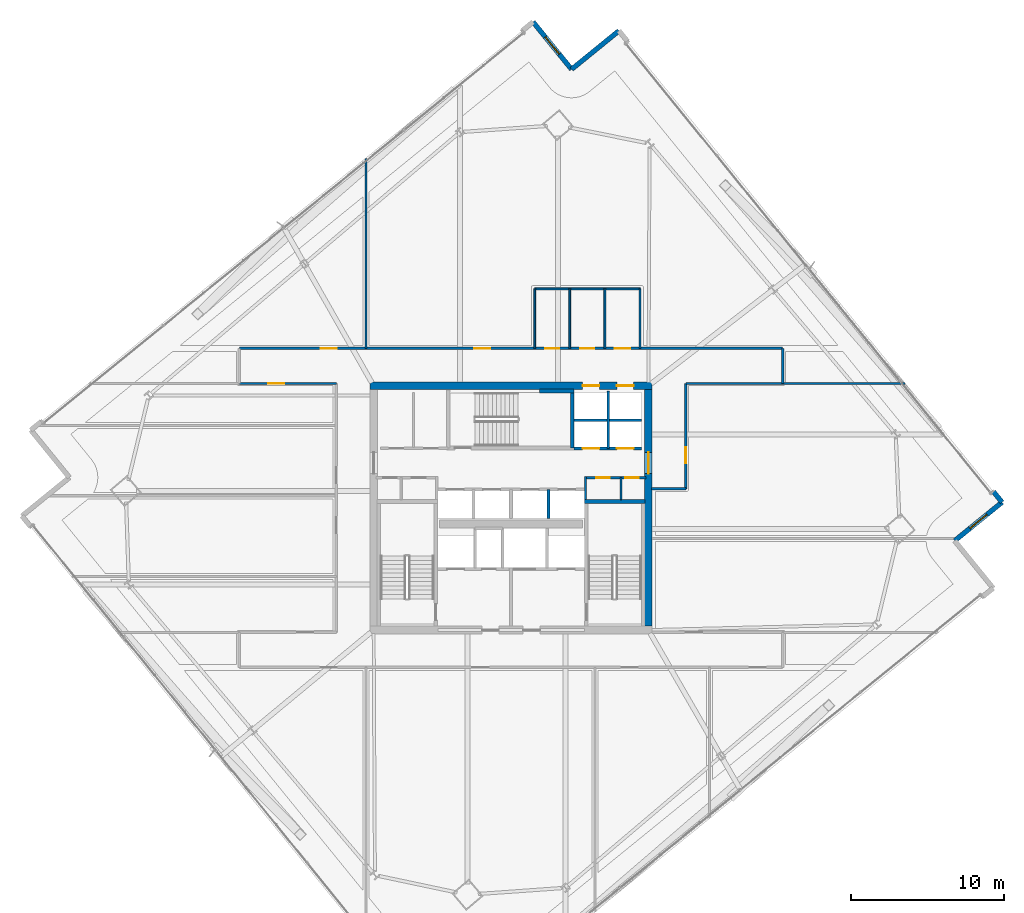
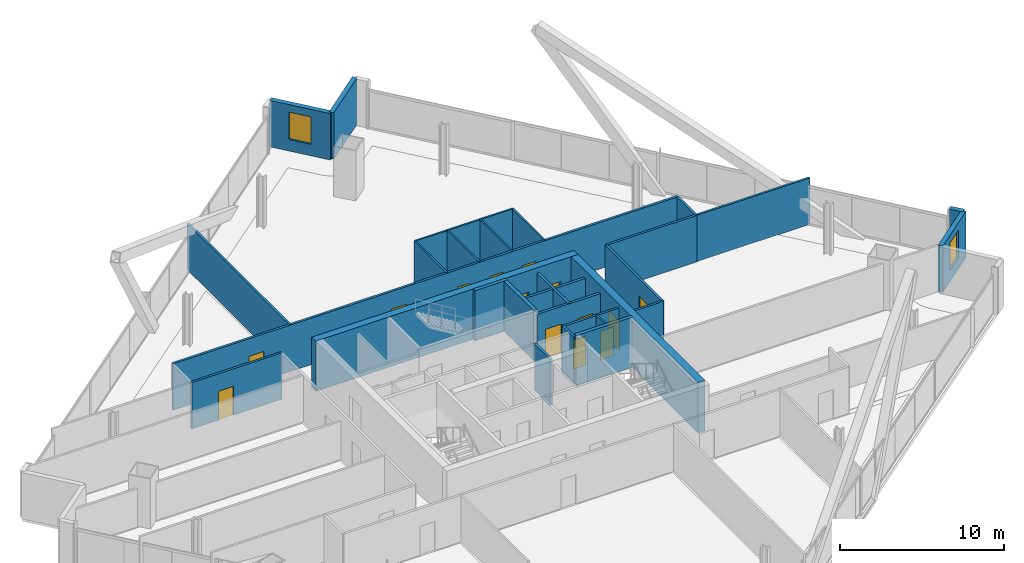
# One storey, part 30 of 36: 29 walls, 14 doors, 2 windows, 16 openings.
"""IFC4 building model written with IfcOpenShell, lengths in metres."""

from ifc_helpers import new_model, si_unit, direction, frame, frame_2d, origin, place, context, subcontext, project, spatial, rectangle, extrude, material, layer, layer_set, type_object, element, fill, save


model = new_model("IFC4")

# Units and contexts
model_context = context("Model", 3, precision=1e-05, world=origin(), true_north=direction((0.0, 1.0)))
body_context = subcontext(model_context, "Body", "Model", "MODEL_VIEW")
ifc_project = project(units=[si_unit("LENGTHUNIT", "METRE"), si_unit("AREAUNIT", "SQUARE_METRE"), si_unit("VOLUMEUNIT", "CUBIC_METRE"), si_unit("PLANEANGLEUNIT", "RADIAN"), si_unit("MASSUNIT", "GRAM", prefix="KILO")], contexts=[model_context])

# Site, building, storey
site_placement = place(None, origin())
site = spatial("IfcSite", under=ifc_project, at=site_placement, CompositionType="ELEMENT")
building_placement = place(site_placement, origin())
building = spatial("IfcBuilding", under=site, at=building_placement, Name="Haldenkirk Collegiate Tower", CompositionType="ELEMENT")
storey_placement = place(building_placement, frame((0.0, 0.0, 159.449951171875)))
storey = spatial("IfcBuildingStorey", under=building, at=storey_placement, Name="L39", CompositionType="ELEMENT", Elevation=159.449951171875)

# Wall, openings, doors
ifc_material_1 = material(Name="Concrete f'c 55 MPa", Category="concrete")
ifc_layer_1 = layer(ifc_material_1, 0.5)
ifc_layer_set_1 = layer_set([ifc_layer_1], Name="Concrete f'c 55 MPa")
wall_type_1 = type_object("IfcWallType", Name="WL-CORE-500", PredefinedType="SHEAR", material=ifc_layer_set_1)
wall_1_placement = place(storey_placement, frame((26.75, 34.0, 0.0), z_axis=(0.0, 0.0, 1.0), x_axis=(1.0, 0.0, 0.0)))
wall_1 = element("IfcWall", 1, at=wall_1_placement, inside=storey, type_object=wall_type_1, Name="L39 central core shear wall N", PredefinedType="SHEAR", context=body_context, shape_type="SweptSolid", body=[
    extrude(rectangle(XDim=18.5, YDim=0.5, at=frame_2d((9.25, 0.0))), origin(), (0.0, 0.0, 1.0), 3.75),
])
opening_1_placement = place(wall_1_placement, frame((13.93505859375, 0.0, 0.0)))
opening_1 = element("IfcOpeningElement", 2, at=opening_1_placement, cuts=wall_1, Name="Opening LD-11", PredefinedType="OPENING", context=body_context, shape_type="SweptSolid", body=[
    extrude(rectangle(XDim=1.10009765625, YDim=2.14990234375, at=frame_2d((0.550048828125, 1.074951171875))), frame((0.0, 0.260009765625, 0.0), z_axis=(0.0, -1.0, 0.0), x_axis=(1.0, 0.0, 0.0)), (0.0, 0.0, 1.0), 0.52001953125),
])
opening_2_placement = place(wall_1_placement, frame((16.18505859375, 0.0, 0.0)))
opening_2 = element("IfcOpeningElement", 3, at=opening_2_placement, cuts=wall_1, Name="Opening LD-11", PredefinedType="OPENING", context=body_context, shape_type="SweptSolid", body=[
    extrude(rectangle(XDim=1.10009765625, YDim=2.14990234375, at=frame_2d((0.550048828125, 1.074951171875))), frame((0.0, 0.260009765625, 0.0), z_axis=(0.0, -1.0, 0.0), x_axis=(1.0, 0.0, 0.0)), (0.0, 0.0, 1.0), 0.52001953125),
])
ifc_material_2 = material(Name="Brushed architectural stainless steel", Category="steel")
ifc_layer_2 = layer(ifc_material_2, 0.06005859375)
ifc_layer_set_2 = layer_set([ifc_layer_2], Name="Brushed architectural stainless steel")
door_type_1 = type_object("IfcDoorType", Name="LD-PASS-1100", OperationType="NOTDEFINED", PredefinedType="DOOR", material=ifc_layer_set_2)
door_1_placement = place(opening_1_placement, origin())
door_1 = element("IfcDoor", 4, at=door_1_placement, inside=storey, type_object=door_type_1, Name="L39 Elevator PM3 sliding landing door", OperationType="SLIDING_TO_LEFT", OverallHeight=2.14990234375, OverallWidth=1.10009765625, PredefinedType="DOOR", context=body_context, shape_type="SweptSolid", body=[
    extrude(rectangle(XDim=1.10009765625, YDim=2.14990234375, at=frame_2d((0.550048828125, 1.074951171875))), frame((0.0, 0.02490234375, 0.0), z_axis=(0.0, -1.0, 0.0), x_axis=(1.0, 0.0, 0.0)), (0.0, 0.0, 1.0), 0.050048828125),
])
fill(opening_1, door_1)
door_2_placement = place(opening_2_placement, origin())
door_2 = element("IfcDoor", 5, at=door_2_placement, inside=storey, type_object=door_type_1, Name="L39 Elevator PM4 sliding landing door", OperationType="SLIDING_TO_LEFT", OverallHeight=2.14990234375, OverallWidth=1.10009765625, PredefinedType="DOOR", context=body_context, shape_type="SweptSolid", body=[
    extrude(rectangle(XDim=1.10009765625, YDim=2.14990234375, at=frame_2d((0.550048828125, 1.074951171875))), frame((0.0, 0.02490234375, 0.0), z_axis=(0.0, -1.0, 0.0), x_axis=(1.0, 0.0, 0.0)), (0.0, 0.0, 1.0), 0.050048828125),
])
fill(opening_2, door_2)

# Wall, opening, door
wall_2_placement = place(storey_placement, frame((45.0, 18.25, 0.0), z_axis=(0.0, 0.0, 1.0), x_axis=(0.0, 1.0, 0.0)))
wall_2 = element("IfcWall", 6, at=wall_2_placement, inside=storey, type_object=wall_type_1, Name="L39 central core shear wall E", PredefinedType="SHEAR", context=body_context, shape_type="SweptSolid", body=[
    extrude(rectangle(XDim=15.5, YDim=0.5, at=frame_2d((7.75, 0.0))), origin(), (0.0, 0.0, 1.0), 3.75),
])
opening_3_placement = place(wall_2_placement, frame((9.989990234375, 0.0, 0.0)))
opening_3 = element("IfcOpeningElement", 7, at=opening_3_placement, cuts=wall_2, Name="Opening D-03", PredefinedType="OPENING", context=body_context, shape_type="SweptSolid", body=[
    extrude(rectangle(XDim=1.39990234375, YDim=2.199951171875, at=frame_2d((0.699951171875, 1.10009765625))), frame((0.0, 0.260009765625, 0.0), z_axis=(0.0, -1.0, 0.0), x_axis=(1.0, 0.0, 0.0)), (0.0, 0.0, 1.0), 0.52001953125),
])
ifc_material_3 = material(Name="Galvanized fire-rated hollow steel door", Category="steel")
ifc_layer_3 = layer(ifc_material_3, 0.06005859375)
ifc_layer_set_3 = layer_set([ifc_layer_3], Name="Galvanized fire-rated hollow steel door")
door_type_2 = type_object("IfcDoorType", Name="DR-LOBBY-FD90-1400", OperationType="NOTDEFINED", PredefinedType="DOOR", material=ifc_layer_set_3)
door_3_placement = place(opening_3_placement, origin())
door_3 = element("IfcDoor", 8, at=door_3_placement, inside=storey, type_object=door_type_2, Name="L39 east lift lobby portal", OperationType="DOUBLE_DOOR_SINGLE_SWING", OverallHeight=2.199951171875, OverallWidth=1.39990234375, PredefinedType="DOOR", context=body_context, shape_type="SweptSolid", body=[
    extrude(rectangle(XDim=1.39990234375, YDim=2.199951171875, at=frame_2d((0.699951171875, 1.10009765625))), frame((0.0, 0.02490234375, 0.0), z_axis=(0.0, -1.0, 0.0), x_axis=(1.0, 0.0, 0.0)), (0.0, 0.0, 1.0), 0.050048828125),
])
fill(opening_3, door_3)

# Wall, opening, window
ifc_material_4 = material(Name="Precast concrete f'c 40 MPa", Category="concrete")
ifc_layer_4 = layer(ifc_material_4, 0.320068359375)
ifc_layer_set_4 = layer_set([ifc_layer_4], Name="Precast concrete f'c 40 MPa")
wall_type_2 = type_object("IfcWallType", Name="WL-EXT-TWR-320", PredefinedType="STANDARD", material=ifc_layer_set_4)
wall_3_placement = place(storey_placement, frame((68.169921875, 26.3720703125, 0.0), z_axis=(0.0, 0.0, 1.0), x_axis=(-0.776052387571, -0.63066844835, 0.0)))
wall_3 = element("IfcWall", 9, at=wall_3_placement, inside=storey, type_object=wall_type_2, Name="L39 bronze precast notch wall 03", PredefinedType="STANDARD", context=body_context, shape_type="SweptSolid", body=[
    extrude(rectangle(XDim=4.0, YDim=0.320068359375, at=frame_2d((2.0, 0.0))), origin(), (0.0, 0.0, 1.0), 3.4599609375),
])
opening_4_placement = place(wall_3_placement, frame((1.27490234375, 0.0, 0.85009765625)))
opening_4 = element("IfcOpeningElement", 10, at=opening_4_placement, cuts=wall_3, Name="Opening W-05", PredefinedType="OPENING", context=body_context, shape_type="SweptSolid", body=[
    extrude(rectangle(XDim=1.449951171875, YDim=2.050048828125, at=frame_2d((0.72509765625, 1.02490234375))), frame((0.0, 0.169921875, 0.0), z_axis=(0.0, -1.0, 0.0), x_axis=(1.0, 0.0, 0.0)), (0.0, 0.0, 1.0), 0.340087890625),
])
ifc_material_5 = material(Name="Low-E argon triple insulating glass", Category="glass")
ifc_layer_5 = layer(ifc_material_5, 0.090087890625)
ifc_layer_set_5 = layer_set([ifc_layer_5], Name="Low-E argon triple insulating glass")
window_type = type_object("IfcWindowType", Name="WN-Z3-1450X2050", PartitioningType="SINGLE_PANEL", PredefinedType="WINDOW", material=ifc_layer_set_5)
window_1_placement = place(opening_4_placement, origin())
window_1 = element("IfcWindow", 11, at=window_1_placement, inside=storey, type_object=window_type, Name="L39 precast-frame academic window 2", OverallHeight=2.050048828125, OverallWidth=1.449951171875, PartitioningType="SINGLE_PANEL", PredefinedType="WINDOW", context=body_context, shape_type="SweptSolid", body=[
    extrude(rectangle(XDim=1.449951171875, YDim=2.050048828125, at=frame_2d((0.72509765625, 1.02490234375))), frame((0.0, 0.030029296875, 0.0), z_axis=(0.0, -1.0, 0.0), x_axis=(1.0, 0.0, 0.0)), (0.0, 0.0, 1.0), 0.06005859375),
])
fill(opening_4, window_1)

# Walls
wall_4_placement = place(storey_placement, frame((67.602294921875, 27.070556640625, 0.0), z_axis=(0.0, 0.0, 1.0), x_axis=(0.630664105663, -0.776055916689, 0.0)))
element("IfcWall", 12, at=wall_4_placement, inside=storey, type_object=wall_type_2, Name="L39 precast corner pier ER", PredefinedType="STANDARD", context=body_context, shape_type="SweptSolid", body=[
    extrude(rectangle(XDim=0.900146484375, YDim=0.320068359375, at=frame_2d((0.4501953125, 0.0))), origin(), (0.0, 0.0, 1.0), 3.4599609375),
])
wall_5_placement = place(storey_placement, frame((39.96484375, 54.736083984375, 0.0), z_axis=(0.0, 0.0, 1.0), x_axis=(0.776052387571, 0.63066844835, 0.0)))
element("IfcWall", 13, at=wall_5_placement, inside=storey, type_object=wall_type_2, Name="L39 bronze precast notch wall 05", PredefinedType="STANDARD", context=body_context, shape_type="SweptSolid", body=[
    extrude(rectangle(XDim=4.0, YDim=0.320068359375, at=frame_2d((2.0, 0.0))), origin(), (0.0, 0.0, 1.0), 3.4599609375),
])

# Wall, opening, window
wall_6_placement = place(storey_placement, frame((37.442138671875, 57.840087890625, 0.0), z_axis=(0.0, 0.0, 1.0), x_axis=(0.630698321471, -0.77602810986, 0.0)))
wall_6 = element("IfcWall", 14, at=wall_6_placement, inside=storey, type_object=wall_type_2, Name="L39 bronze precast notch wall 06", PredefinedType="STANDARD", context=body_context, shape_type="SweptSolid", body=[
    extrude(rectangle(XDim=3.999755859375, YDim=0.320068359375, at=frame_2d((2.0, 0.0))), origin(), (0.0, 0.0, 1.0), 3.4599609375),
])
opening_5_placement = place(wall_6_placement, frame((1.27490234375, 0.0, 0.85009765625)))
opening_5 = element("IfcOpeningElement", 15, at=opening_5_placement, cuts=wall_6, Name="Opening W-05", PredefinedType="OPENING", context=body_context, shape_type="SweptSolid", body=[
    extrude(rectangle(XDim=1.449951171875, YDim=2.050048828125, at=frame_2d((0.72509765625, 1.02490234375))), frame((0.0, 0.169921875, 0.0), z_axis=(0.0, -1.0, 0.0), x_axis=(1.0, 0.0, 0.0)), (0.0, 0.0, 1.0), 0.340087890625),
])
window_2_placement = place(opening_5_placement, origin())
window_2 = element("IfcWindow", 16, at=window_2_placement, inside=storey, type_object=window_type, Name="L39 precast-frame academic window 5", OverallHeight=2.050048828125, OverallWidth=1.449951171875, PartitioningType="SINGLE_PANEL", PredefinedType="WINDOW", context=body_context, shape_type="SweptSolid", body=[
    extrude(rectangle(XDim=1.449951171875, YDim=2.050048828125, at=frame_2d((0.72509765625, 1.02490234375))), frame((0.0, 0.030029296875, 0.0), z_axis=(0.0, -1.0, 0.0), x_axis=(1.0, 0.0, 0.0)), (0.0, 0.0, 1.0), 0.06005859375),
])
fill(opening_5, window_2)

# Wall, openings, doors
ifc_material_6 = material(Name="Acoustic fire-rated gypsum partition", Category="concrete")
ifc_layer_6 = layer(ifc_material_6, 0.159912109375)
ifc_layer_set_6 = layer_set([ifc_layer_6], Name="Acoustic fire-rated gypsum partition")
wall_type_3 = type_object("IfcWallType", Name="WL-INT-CORR-160", PredefinedType="PARTITIONING", material=ifc_layer_set_6)
wall_7_placement = place(storey_placement, frame((40.800048828125, 27.97998046875, 0.0), z_axis=(0.0, 0.0, 1.0), x_axis=(1.0, 0.0, 0.0)))
wall_7 = element("IfcWall", 17, at=wall_7_placement, inside=storey, type_object=wall_type_3, Name="L39 interior partition IW-L39-VCSE-N", PredefinedType="PARTITIONING", context=body_context, shape_type="SweptSolid", body=[
    extrude(rectangle(XDim=4.050048828125, YDim=0.159912109375, at=frame_2d((2.02490234375, 0.0))), origin(), (0.0, 0.0, 1.0), 3.4599609375),
])
opening_6_placement = place(wall_7_placement, frame((0.77001953125, 0.0, 0.0)))
opening_6 = element("IfcOpeningElement", 18, at=opening_6_placement, cuts=wall_7, Name="Opening D-11", PredefinedType="OPENING", context=body_context, shape_type="SweptSolid", body=[
    extrude(rectangle(XDim=0.89990234375, YDim=2.14990234375, at=frame_2d((0.449951171875, 1.074951171875))), frame((0.0, 0.08984375, 0.0), z_axis=(0.0, -1.0, 0.0), x_axis=(1.0, 0.0, 0.0)), (0.0, 0.0, 1.0), 0.179931640625),
])
opening_7_placement = place(wall_7_placement, frame((2.679931640625, 0.0, 0.0)))
opening_7 = element("IfcOpeningElement", 19, at=opening_7_placement, cuts=wall_7, Name="Opening D-11", PredefinedType="OPENING", context=body_context, shape_type="SweptSolid", body=[
    extrude(rectangle(XDim=0.89990234375, YDim=2.14990234375, at=frame_2d((0.449951171875, 1.074951171875))), frame((0.0, 0.08984375, 0.0), z_axis=(0.0, -1.0, 0.0), x_axis=(1.0, 0.0, 0.0)), (0.0, 0.0, 1.0), 0.179931640625),
])
ifc_material_7 = material(Name="Solid-core architectural oak fire door", Category="wood")
ifc_layer_7 = layer(ifc_material_7, 0.06005859375)
ifc_layer_set_7 = layer_set([ifc_layer_7], Name="Solid-core architectural oak fire door")
door_type_3 = type_object("IfcDoorType", Name="DR-INT-FD60-900", OperationType="NOTDEFINED", PredefinedType="DOOR", material=ifc_layer_set_7)
door_4_placement = place(opening_6_placement, origin())
door_4 = element("IfcDoor", 20, at=door_4_placement, inside=storey, type_object=door_type_3, Name="L39 core archive door", OperationType="SINGLE_SWING_LEFT", OverallHeight=2.14990234375, OverallWidth=0.89990234375, PredefinedType="DOOR", context=body_context, shape_type="SweptSolid", body=[
    extrude(rectangle(XDim=0.89990234375, YDim=2.14990234375, at=frame_2d((0.449951171875, 1.074951171875))), frame((0.0, 0.02490234375, 0.0), z_axis=(0.0, -1.0, 0.0), x_axis=(1.0, 0.0, 0.0)), (0.0, 0.0, 1.0), 0.050048828125),
])
fill(opening_6, door_4)
door_5_placement = place(opening_7_placement, origin())
door_5 = element("IfcDoor", 21, at=door_5_placement, inside=storey, type_object=door_type_3, Name="L39 core telecom door", OperationType="SINGLE_SWING_RIGHT", OverallHeight=2.14990234375, OverallWidth=0.89990234375, PredefinedType="DOOR", context=body_context, shape_type="SweptSolid", body=[
    extrude(rectangle(XDim=0.89990234375, YDim=2.14990234375, at=frame_2d((0.449951171875, 1.074951171875))), frame((0.0, 0.02490234375, 0.0), z_axis=(0.0, -1.0, 0.0), x_axis=(1.0, 0.0, 0.0)), (0.0, 0.0, 1.0), 0.050048828125),
])
fill(opening_7, door_5)

# Wall
wall_8_placement = place(storey_placement, frame((40.8798828125, 26.5400390625, 0.0), z_axis=(0.0, 0.0, 1.0), x_axis=(0.0, 1.0, 0.0)))
element("IfcWall", 22, at=wall_8_placement, inside=storey, type_object=wall_type_3, Name="L39 interior partition IW-L39-VCSE-W", PredefinedType="PARTITIONING", context=body_context, shape_type="SweptSolid", body=[
    extrude(rectangle(XDim=1.510009765625, YDim=0.159912109375, at=frame_2d((0.7548828125, 0.0))), origin(), (0.0, 0.0, 1.0), 3.4599609375),
])

# Wall, openings, doors
wall_9_placement = place(storey_placement, frame((18.199951171875, 36.449951171875, 0.0), z_axis=(0.0, 0.0, 1.0), x_axis=(1.0, 0.0, 0.0)))
wall_9 = element("IfcWall", 23, at=wall_9_placement, inside=storey, type_object=wall_type_3, Name="L39 interior partition IW-L39-CN", PredefinedType="PARTITIONING", context=body_context, shape_type="SweptSolid", body=[
    extrude(rectangle(XDim=35.60009765625, YDim=0.159912109375, at=frame_2d((17.800048828125, 0.0))), origin(), (0.0, 0.0, 1.0), 3.4599609375),
])
opening_8_placement = place(wall_9_placement, frame((20.050048828125, 0.0, 0.0)))
opening_8 = element("IfcOpeningElement", 24, at=opening_8_placement, cuts=wall_9, Name="Opening D-13", PredefinedType="OPENING", context=body_context, shape_type="SweptSolid", body=[
    extrude(rectangle(XDim=0.89990234375, YDim=2.14990234375, at=frame_2d((0.449951171875, 1.074951171875))), frame((0.0, 0.08984375, 0.0), z_axis=(0.0, -1.0, 0.0), x_axis=(1.0, 0.0, 0.0)), (0.0, 0.0, 1.0), 0.179931640625),
])
opening_9_placement = place(wall_9_placement, frame((22.35009765625, 0.0, 0.0)))
opening_9 = element("IfcOpeningElement", 25, at=opening_9_placement, cuts=wall_9, Name="Opening D-13", PredefinedType="OPENING", context=body_context, shape_type="SweptSolid", body=[
    extrude(rectangle(XDim=0.89990234375, YDim=2.14990234375, at=frame_2d((0.449951171875, 1.074951171875))), frame((0.0, 0.08984375, 0.0), z_axis=(0.0, -1.0, 0.0), x_axis=(1.0, 0.0, 0.0)), (0.0, 0.0, 1.0), 0.179931640625),
])
opening_10_placement = place(wall_9_placement, frame((24.60009765625, 0.0, 0.0)))
opening_10 = element("IfcOpeningElement", 26, at=opening_10_placement, cuts=wall_9, Name="Opening D-14", PredefinedType="OPENING", context=body_context, shape_type="SweptSolid", body=[
    extrude(rectangle(XDim=1.0, YDim=2.14990234375, at=frame_2d((0.5, 1.074951171875))), frame((0.0, 0.08984375, 0.0), z_axis=(0.0, -1.0, 0.0), x_axis=(1.0, 0.0, 0.0)), (0.0, 0.0, 1.0), 0.179931640625),
])
opening_11_placement = place(wall_9_placement, frame((5.344970703125, 0.0, 0.0)))
opening_11 = element("IfcOpeningElement", 27, at=opening_11_placement, cuts=wall_9, Name="Opening D-09", PredefinedType="OPENING", context=body_context, shape_type="SweptSolid", body=[
    extrude(rectangle(XDim=1.050048828125, YDim=2.14990234375, at=frame_2d((0.52490234375, 1.074951171875))), frame((0.0, 0.08984375, 0.0), z_axis=(0.0, -1.0, 0.0), x_axis=(1.0, 0.0, 0.0)), (0.0, 0.0, 1.0), 0.179931640625),
])
opening_12_placement = place(wall_9_placement, frame((15.39501953125, 0.0, 0.0)))
opening_12 = element("IfcOpeningElement", 28, at=opening_12_placement, cuts=wall_9, Name="Opening D-09", PredefinedType="OPENING", context=body_context, shape_type="SweptSolid", body=[
    extrude(rectangle(XDim=1.050048828125, YDim=2.14990234375, at=frame_2d((0.52490234375, 1.074951171875))), frame((0.0, 0.08984375, 0.0), z_axis=(0.0, -1.0, 0.0), x_axis=(1.0, 0.0, 0.0)), (0.0, 0.0, 1.0), 0.179931640625),
])
ifc_layer_8 = layer(ifc_material_7, 0.06005859375)
ifc_layer_set_8 = layer_set([ifc_layer_8], Name="Solid-core architectural oak fire door")
door_type_4 = type_object("IfcDoorType", Name="DR-INT-ACC-1000", OperationType="NOTDEFINED", PredefinedType="DOOR", material=ifc_layer_set_8)
door_6_placement = place(opening_10_placement, origin())
door_6 = element("IfcDoor", 29, at=door_6_placement, inside=storey, type_object=door_type_4, Name="L39 Accessible WC door", OperationType="SINGLE_SWING_LEFT", OverallHeight=2.14990234375, OverallWidth=1.0, PredefinedType="DOOR", context=body_context, shape_type="SweptSolid", body=[
    extrude(rectangle(XDim=1.0, YDim=2.14990234375, at=frame_2d((0.5, 1.074951171875))), frame((0.0, 0.02490234375, 0.0), z_axis=(0.0, -1.0, 0.0), x_axis=(1.0, 0.0, 0.0)), (0.0, 0.0, 1.0), 0.050048828125),
])
fill(opening_10, door_6)
ifc_layer_9 = layer(ifc_material_7, 0.06005859375)
ifc_layer_set_9 = layer_set([ifc_layer_9], Name="Solid-core architectural oak fire door")
door_type_5 = type_object("IfcDoorType", Name="DR-INT-FD60-1050", OperationType="NOTDEFINED", PredefinedType="DOOR", material=ifc_layer_set_9)
door_7_placement = place(opening_11_placement, origin())
door_7 = element("IfcDoor", 30, at=door_7_placement, inside=storey, type_object=door_type_5, Name="L39 Instrument Store Room 5 door", OperationType="SINGLE_SWING_RIGHT", OverallHeight=2.14990234375, OverallWidth=1.050048828125, PredefinedType="DOOR", context=body_context, shape_type="SweptSolid", body=[
    extrude(rectangle(XDim=1.050048828125, YDim=2.14990234375, at=frame_2d((0.52490234375, 1.074951171875))), frame((0.0, 0.02490234375, 0.0), z_axis=(0.0, -1.0, 0.0), x_axis=(1.0, 0.0, 0.0)), (0.0, 0.0, 1.0), 0.050048828125),
])
fill(opening_11, door_7)
door_8_placement = place(opening_12_placement, origin())
door_8 = element("IfcDoor", 31, at=door_8_placement, inside=storey, type_object=door_type_5, Name="L39 Material Specimen Store 6 door", OperationType="SINGLE_SWING_LEFT", OverallHeight=2.14990234375, OverallWidth=1.050048828125, PredefinedType="DOOR", context=body_context, shape_type="SweptSolid", body=[
    extrude(rectangle(XDim=1.050048828125, YDim=2.14990234375, at=frame_2d((0.52490234375, 1.074951171875))), frame((0.0, 0.02490234375, 0.0), z_axis=(0.0, -1.0, 0.0), x_axis=(1.0, 0.0, 0.0)), (0.0, 0.0, 1.0), 0.050048828125),
])
fill(opening_12, door_8)
ifc_layer_10 = layer(ifc_material_7, 0.06005859375)
ifc_layer_set_10 = layer_set([ifc_layer_10], Name="Solid-core architectural oak fire door")
door_type_6 = type_object("IfcDoorType", Name="DR-INT-STD-900", OperationType="NOTDEFINED", PredefinedType="DOOR", material=ifc_layer_set_10)
door_9_placement = place(opening_8_placement, origin())
door_9 = element("IfcDoor", 32, at=door_9_placement, inside=storey, type_object=door_type_6, Name="L39 Male WC door", OperationType="SINGLE_SWING_LEFT", OverallHeight=2.14990234375, OverallWidth=0.89990234375, PredefinedType="DOOR", context=body_context, shape_type="SweptSolid", body=[
    extrude(rectangle(XDim=0.89990234375, YDim=2.14990234375, at=frame_2d((0.449951171875, 1.074951171875))), frame((0.0, 0.02490234375, 0.0), z_axis=(0.0, -1.0, 0.0), x_axis=(1.0, 0.0, 0.0)), (0.0, 0.0, 1.0), 0.050048828125),
])
fill(opening_8, door_9)
door_10_placement = place(opening_9_placement, origin())
door_10 = element("IfcDoor", 33, at=door_10_placement, inside=storey, type_object=door_type_6, Name="L39 Female WC door", OperationType="SINGLE_SWING_RIGHT", OverallHeight=2.14990234375, OverallWidth=0.89990234375, PredefinedType="DOOR", context=body_context, shape_type="SweptSolid", body=[
    extrude(rectangle(XDim=0.89990234375, YDim=2.14990234375, at=frame_2d((0.449951171875, 1.074951171875))), frame((0.0, 0.02490234375, 0.0), z_axis=(0.0, -1.0, 0.0), x_axis=(1.0, 0.0, 0.0)), (0.0, 0.0, 1.0), 0.050048828125),
])
fill(opening_9, door_10)

# Wall, opening, door
wall_10_placement = place(storey_placement, frame((18.199951171875, 34.14990234375, 0.0), z_axis=(0.0, 0.0, 1.0), x_axis=(1.0, 0.0, 0.0)))
wall_10 = element("IfcWall", 34, at=wall_10_placement, inside=storey, type_object=wall_type_3, Name="L39 interior partition IW-L39-CNW", PredefinedType="PARTITIONING", context=body_context, shape_type="SweptSolid", body=[
    extrude(rectangle(XDim=6.35009765625, YDim=0.159912109375, at=frame_2d((3.175048828125, 0.0))), origin(), (0.0, 0.0, 1.0), 3.4599609375),
])
opening_13_placement = place(wall_10_placement, frame((1.887939453125, 0.0, 0.0)))
opening_13 = element("IfcOpeningElement", 35, at=opening_13_placement, cuts=wall_10, Name="Opening D-09", PredefinedType="OPENING", context=body_context, shape_type="SweptSolid", body=[
    extrude(rectangle(XDim=1.050048828125, YDim=2.14990234375, at=frame_2d((0.52490234375, 1.074951171875))), frame((0.0, 0.08984375, 0.0), z_axis=(0.0, -1.0, 0.0), x_axis=(1.0, 0.0, 0.0)), (0.0, 0.0, 1.0), 0.179931640625),
])
door_11_placement = place(opening_13_placement, origin())
door_11 = element("IfcDoor", 36, at=door_11_placement, inside=storey, type_object=door_type_5, Name="L39 Departmental Archive 10 door", OperationType="SINGLE_SWING_LEFT", OverallHeight=2.14990234375, OverallWidth=1.050048828125, PredefinedType="DOOR", context=body_context, shape_type="SweptSolid", body=[
    extrude(rectangle(XDim=1.050048828125, YDim=2.14990234375, at=frame_2d((0.52490234375, 1.074951171875))), frame((0.0, 0.02490234375, 0.0), z_axis=(0.0, -1.0, 0.0), x_axis=(1.0, 0.0, 0.0)), (0.0, 0.0, 1.0), 0.050048828125),
])
fill(opening_13, door_11)

# Wall
wall_11_placement = place(storey_placement, frame((47.449951171875, 34.14990234375, 0.0), z_axis=(0.0, 0.0, 1.0), x_axis=(1.0, 0.0, 0.0)))
element("IfcWall", 37, at=wall_11_placement, inside=storey, type_object=wall_type_3, Name="L39 interior partition IW-L39-CNE", PredefinedType="PARTITIONING", context=body_context, shape_type="SweptSolid", body=[
    extrude(rectangle(XDim=6.35009765625, YDim=0.159912109375, at=frame_2d((3.175048828125, 0.0))), origin(), (0.0, 0.0, 1.0), 3.4599609375),
])

# Wall, opening, door
wall_12_placement = place(storey_placement, frame((47.449951171875, 27.25, 0.0), z_axis=(0.0, 0.0, 1.0), x_axis=(0.0, 1.0, 0.0)))
wall_12 = element("IfcWall", 38, at=wall_12_placement, inside=storey, type_object=wall_type_3, Name="L39 interior partition IW-L39-CE", PredefinedType="PARTITIONING", context=body_context, shape_type="SweptSolid", body=[
    extrude(rectangle(XDim=6.89990234375, YDim=0.159912109375, at=frame_2d((3.449951171875, 0.0))), origin(), (0.0, 0.0, 1.0), 3.4599609375),
])
opening_14_placement = place(wall_12_placement, frame((1.68310546875, 0.0, 0.0)))
opening_14 = element("IfcOpeningElement", 39, at=opening_14_placement, cuts=wall_12, Name="Opening D-09", PredefinedType="OPENING", context=body_context, shape_type="SweptSolid", body=[
    extrude(rectangle(XDim=1.050048828125, YDim=2.14990234375, at=frame_2d((0.52490234375, 1.074951171875))), frame((0.0, 0.08984375, 0.0), z_axis=(0.0, -1.0, 0.0), x_axis=(1.0, 0.0, 0.0)), (0.0, 0.0, 1.0), 0.179931640625),
])
door_12_placement = place(opening_14_placement, origin())
door_12 = element("IfcDoor", 40, at=door_12_placement, inside=storey, type_object=door_type_5, Name="L39 Material Specimen Store 12 door", OperationType="SINGLE_SWING_LEFT", OverallHeight=2.14990234375, OverallWidth=1.050048828125, PredefinedType="DOOR", context=body_context, shape_type="SweptSolid", body=[
    extrude(rectangle(XDim=1.050048828125, YDim=2.14990234375, at=frame_2d((0.52490234375, 1.074951171875))), frame((0.0, 0.02490234375, 0.0), z_axis=(0.0, -1.0, 0.0), x_axis=(1.0, 0.0, 0.0)), (0.0, 0.0, 1.0), 0.050048828125),
])
fill(opening_14, door_12)

# Walls
wall_13_placement = place(storey_placement, frame((45.199951171875, 27.25, 0.0), z_axis=(0.0, 0.0, 1.0), x_axis=(1.0, 0.0, 0.0)))
element("IfcWall", 41, at=wall_13_placement, inside=storey, type_object=wall_type_3, Name="L39 interior partition IW-L39-CES", PredefinedType="PARTITIONING", context=body_context, shape_type="SweptSolid", body=[
    extrude(rectangle(XDim=2.25, YDim=0.159912109375, at=frame_2d((1.125, 0.0))), origin(), (0.0, 0.0, 1.0), 3.4599609375),
])
wall_14_placement = place(storey_placement, frame((53.800048828125, 34.14990234375, 0.0), z_axis=(0.0, 0.0, 1.0), x_axis=(0.0, 1.0, 0.0)))
element("IfcWall", 42, at=wall_14_placement, inside=storey, type_object=wall_type_3, Name="L39 interior partition IW-L39-CNR", PredefinedType="PARTITIONING", context=body_context, shape_type="SweptSolid", body=[
    extrude(rectangle(XDim=2.300048828125, YDim=0.159912109375, at=frame_2d((1.14990234375, 0.0))), origin(), (0.0, 0.0, 1.0), 3.4599609375),
])
ifc_layer_11 = layer(ifc_material_6, 0.139892578125)
ifc_layer_set_11 = layer_set([ifc_layer_11], Name="Acoustic fire-rated gypsum partition")
wall_type_4 = type_object("IfcWallType", Name="WL-INT-DIV-140", PredefinedType="PARTITIONING", material=ifc_layer_set_11)
wall_15_placement = place(storey_placement, frame((53.800048828125, 34.14990234375, 0.0), z_axis=(0.0, 0.0, 1.0), x_axis=(1.0, 0.0, 0.0)))
element("IfcWall", 43, at=wall_15_placement, inside=storey, type_object=wall_type_4, Name="L39 interior partition IW-L39-BEN", PredefinedType="PARTITIONING", context=body_context, shape_type="SweptSolid", body=[
    extrude(rectangle(XDim=7.997314453125, YDim=0.139892578125, at=frame_2d((3.99853515625, 0.0))), origin(), (0.0, 0.0, 1.0), 3.4599609375),
])
wall_16_placement = place(storey_placement, frame((26.5, 36.449951171875, 0.0), z_axis=(0.0, 0.0, 1.0), x_axis=(0.0, 1.0, 0.0)))
element("IfcWall", 44, at=wall_16_placement, inside=storey, type_object=wall_type_4, Name="L39 interior partition IW-L39-RN1", PredefinedType="PARTITIONING", context=body_context, shape_type="SweptSolid", body=[
    extrude(rectangle(XDim=12.4462890625, YDim=0.139892578125, at=frame_2d((6.22314453125, 0.0))), origin(), (0.0, 0.0, 1.0), 3.4599609375),
])

# Wall, openings, doors
ifc_material_8 = material(Name="Fire-rated gypsum shaftboard assembly", Category="concrete")
ifc_layer_12 = layer(ifc_material_8, 0.179931640625)
ifc_layer_set_12 = layer_set([ifc_layer_12], Name="Fire-rated gypsum shaftboard assembly")
wall_type_5 = type_object("IfcWallType", Name="WL-INT-SHAFT-180", PredefinedType="PARTITIONING", material=ifc_layer_set_12)
wall_17_placement = place(storey_placement, frame((40.1201171875, 29.89990234375, 0.0), z_axis=(0.0, 0.0, 1.0), x_axis=(1.0, 0.0, 0.0)))
wall_17 = element("IfcWall", 45, at=wall_17_placement, inside=storey, type_object=wall_type_5, Name="L39 interior partition IW-L39-PMS", PredefinedType="PARTITIONING", context=body_context, shape_type="SweptSolid", body=[
    extrude(rectangle(XDim=4.429931640625, YDim=0.179931640625, at=frame_2d((2.21484375, 0.0))), origin(), (0.0, 0.0, 1.0), 3.4599609375),
])
opening_15_placement = place(wall_17_placement, frame((0.56494140625, 0.0, 0.0)))
opening_15 = element("IfcOpeningElement", 46, at=opening_15_placement, cuts=wall_17, Name="Opening LD-11", PredefinedType="OPENING", context=body_context, shape_type="SweptSolid", body=[
    extrude(rectangle(XDim=1.10009765625, YDim=2.14990234375, at=frame_2d((0.550048828125, 1.074951171875))), frame((0.0, 0.099853515625, 0.0), z_axis=(0.0, -1.0, 0.0), x_axis=(1.0, 0.0, 0.0)), (0.0, 0.0, 1.0), 0.199951171875),
])
opening_16_placement = place(wall_17_placement, frame((2.81494140625, 0.0, 0.0)))
opening_16 = element("IfcOpeningElement", 47, at=opening_16_placement, cuts=wall_17, Name="Opening LD-11", PredefinedType="OPENING", context=body_context, shape_type="SweptSolid", body=[
    extrude(rectangle(XDim=1.10009765625, YDim=2.14990234375, at=frame_2d((0.550048828125, 1.074951171875))), frame((0.0, 0.099853515625, 0.0), z_axis=(0.0, -1.0, 0.0), x_axis=(1.0, 0.0, 0.0)), (0.0, 0.0, 1.0), 0.199951171875),
])
door_13_placement = place(opening_15_placement, origin())
door_13 = element("IfcDoor", 48, at=door_13_placement, inside=storey, type_object=door_type_1, Name="L39 Elevator PM1 sliding landing door", OperationType="SLIDING_TO_LEFT", OverallHeight=2.14990234375, OverallWidth=1.10009765625, PredefinedType="DOOR", context=body_context, shape_type="SweptSolid", body=[
    extrude(rectangle(XDim=1.10009765625, YDim=2.14990234375, at=frame_2d((0.550048828125, 1.074951171875))), frame((0.0, 0.02490234375, 0.0), z_axis=(0.0, -1.0, 0.0), x_axis=(1.0, 0.0, 0.0)), (0.0, 0.0, 1.0), 0.050048828125),
])
fill(opening_15, door_13)
door_14_placement = place(opening_16_placement, origin())
door_14 = element("IfcDoor", 49, at=door_14_placement, inside=storey, type_object=door_type_1, Name="L39 Elevator PM2 sliding landing door", OperationType="SLIDING_TO_LEFT", OverallHeight=2.14990234375, OverallWidth=1.10009765625, PredefinedType="DOOR", context=body_context, shape_type="SweptSolid", body=[
    extrude(rectangle(XDim=1.10009765625, YDim=2.14990234375, at=frame_2d((0.550048828125, 1.074951171875))), frame((0.0, 0.02490234375, 0.0), z_axis=(0.0, -1.0, 0.0), x_axis=(1.0, 0.0, 0.0)), (0.0, 0.0, 1.0), 0.050048828125),
])
fill(opening_16, door_14)

# Walls
wall_18_placement = place(storey_placement, frame((40.1201171875, 31.75, 0.0), z_axis=(0.0, 0.0, 1.0), x_axis=(1.0, 0.0, 0.0)))
element("IfcWall", 50, at=wall_18_placement, inside=storey, type_object=wall_type_5, Name="L39 interior partition IW-L39-PMM", PredefinedType="PARTITIONING", context=body_context, shape_type="SweptSolid", body=[
    extrude(rectangle(XDim=4.429931640625, YDim=0.179931640625, at=frame_2d((2.21484375, 0.0))), origin(), (0.0, 0.0, 1.0), 3.4599609375),
])
wall_19_placement = place(storey_placement, frame((42.3701171875, 29.89990234375, 0.0), z_axis=(0.0, 0.0, 1.0), x_axis=(0.0, 1.0, 0.0)))
element("IfcWall", 51, at=wall_19_placement, inside=storey, type_object=wall_type_5, Name="L39 interior partition IW-L39-PMV", PredefinedType="PARTITIONING", context=body_context, shape_type="SweptSolid", body=[
    extrude(rectangle(XDim=3.75, YDim=0.179931640625, at=frame_2d((1.875, 0.0))), origin(), (0.0, 0.0, 1.0), 3.4599609375),
])
wall_20_placement = place(storey_placement, frame((38.4599609375, 25.300048828125, 0.0), z_axis=(0.0, 0.0, 1.0), x_axis=(0.0, 1.0, 0.0)))
element("IfcWall", 52, at=wall_20_placement, inside=storey, type_object=wall_type_5, Name="L39 interior partition IW-L39-PHV3", PredefinedType="PARTITIONING", context=body_context, shape_type="SweptSolid", body=[
    extrude(rectangle(XDim=1.89990234375, YDim=0.179931640625, at=frame_2d((0.949951171875, 0.0))), origin(), (0.0, 0.0, 1.0), 3.4599609375),
])
ifc_layer_13 = layer(ifc_material_6, 0.1201171875)
ifc_layer_set_13 = layer_set([ifc_layer_13], Name="Acoustic fire-rated gypsum partition")
wall_type_6 = type_object("IfcWallType", Name="WL-INT-WET-120", PredefinedType="PARTITIONING", material=ifc_layer_set_13)
wall_21_placement = place(storey_placement, frame((43.199951171875, 26.5400390625, 0.0), z_axis=(0.0, 0.0, 1.0), x_axis=(0.0, 1.0, 0.0)))
element("IfcWall", 53, at=wall_21_placement, inside=storey, type_object=wall_type_6, Name="L39 interior partition IW-L39-VCSE-M", PredefinedType="PARTITIONING", context=body_context, shape_type="SweptSolid", body=[
    extrude(rectangle(XDim=1.43994140625, YDim=0.1201171875, at=frame_2d((0.719970703125, 0.0))), origin(), (0.0, 0.0, 1.0), 3.4599609375),
])
for number, where, z_axis, x_axis, name in (
    (54, (37.550048828125, 36.449951171875, 0.0), (0.0, 0.0, 1.0), (0.0, 1.0, 0.0), "L39 interior partition IW-L39-WCW"),
    (55, (39.85009765625, 36.449951171875, 0.0), (0.0, 0.0, 1.0), (0.0, 1.0, 0.0), "L39 interior partition IW-L39-WC1"),
    (56, (42.14990234375, 36.449951171875, 0.0), (0.0, 0.0, 1.0), (0.0, 1.0, 0.0), "L39 interior partition IW-L39-WC2"),
    (57, (44.449951171875, 36.449951171875, 0.0), (0.0, 0.0, 1.0), (0.0, 1.0, 0.0), "L39 interior partition IW-L39-WCE"),
):
    element("IfcWall", number, at=place(storey_placement, frame(where, z_axis=z_axis, x_axis=x_axis)), inside=storey, type_object=wall_type_6, Name=name, PredefinedType="PARTITIONING", context=body_context, shape_type="SweptSolid", body=[
        extrude(rectangle(XDim=3.900146484375, YDim=0.1201171875, at=frame_2d((1.9501953125, 0.0))), origin(), (0.0, 0.0, 1.0), 3.4599609375),
    ])
wall_22_placement = place(storey_placement, frame((37.550048828125, 40.35009765625, 0.0), z_axis=(0.0, 0.0, 1.0), x_axis=(1.0, 0.0, 0.0)))
element("IfcWall", 58, at=wall_22_placement, inside=storey, type_object=wall_type_6, Name="L39 interior partition IW-L39-WCB", PredefinedType="PARTITIONING", context=body_context, shape_type="SweptSolid", body=[
    extrude(rectangle(XDim=6.89990234375, YDim=0.1201171875, at=frame_2d((3.449951171875, 0.0))), origin(), (0.0, 0.0, 1.0), 3.4599609375),
])
ifc_layer_14 = layer(ifc_material_1, 0.239990234375)
ifc_layer_set_14 = layer_set([ifc_layer_14], Name="Concrete f'c 55 MPa")
wall_type_7 = type_object("IfcWallType", Name="WL-SHAFT-240", PredefinedType="SHEAR", material=ifc_layer_set_14)
wall_23_placement = place(storey_placement, frame((40.81005859375, 26.419921875, 0.0), z_axis=(0.0, 0.0, 1.0), x_axis=(1.0, 0.0, 0.0)))
element("IfcWall", 59, at=wall_23_placement, inside=storey, type_object=wall_type_7, Name="L39 stair shaft shear wall SW-L39-ST2N", PredefinedType="SHEAR", context=body_context, shape_type="SweptSolid", body=[
    extrude(rectangle(XDim=3.97998046875, YDim=0.239990234375, at=frame_2d((1.989990234375, 0.0))), origin(), (0.0, 0.0, 1.0), 3.75),
])
wall_24_placement = place(storey_placement, frame((40.02001953125, 29.929931640625, 0.0), z_axis=(0.0, 0.0, 1.0), x_axis=(0.0, 1.0, 0.0)))
element("IfcWall", 60, at=wall_24_placement, inside=storey, type_object=wall_type_7, Name="L39 stair shaft shear wall SW-L39-ST3E", PredefinedType="SHEAR", context=body_context, shape_type="SweptSolid", body=[
    extrude(rectangle(XDim=3.85009765625, YDim=0.239990234375, at=frame_2d((1.925048828125, 0.0))), origin(), (0.0, 0.0, 1.0), 3.75),
])
wall_25_placement = place(storey_placement, frame((37.85009765625, 33.659912109375, 0.0), z_axis=(0.0, 0.0, 1.0), x_axis=(1.0, 0.0, 0.0)))
element("IfcWall", 61, at=wall_25_placement, inside=storey, type_object=wall_type_7, Name="L39 stair shaft shear wall SW-L39-ST3N", PredefinedType="SHEAR", context=body_context, shape_type="SweptSolid", body=[
    extrude(rectangle(XDim=2.289794921875, YDim=0.239990234375, at=frame_2d((1.14501953125, 0.0))), origin(), (0.0, 0.0, 1.0), 3.75),
])

save(model, "model.ifc")
